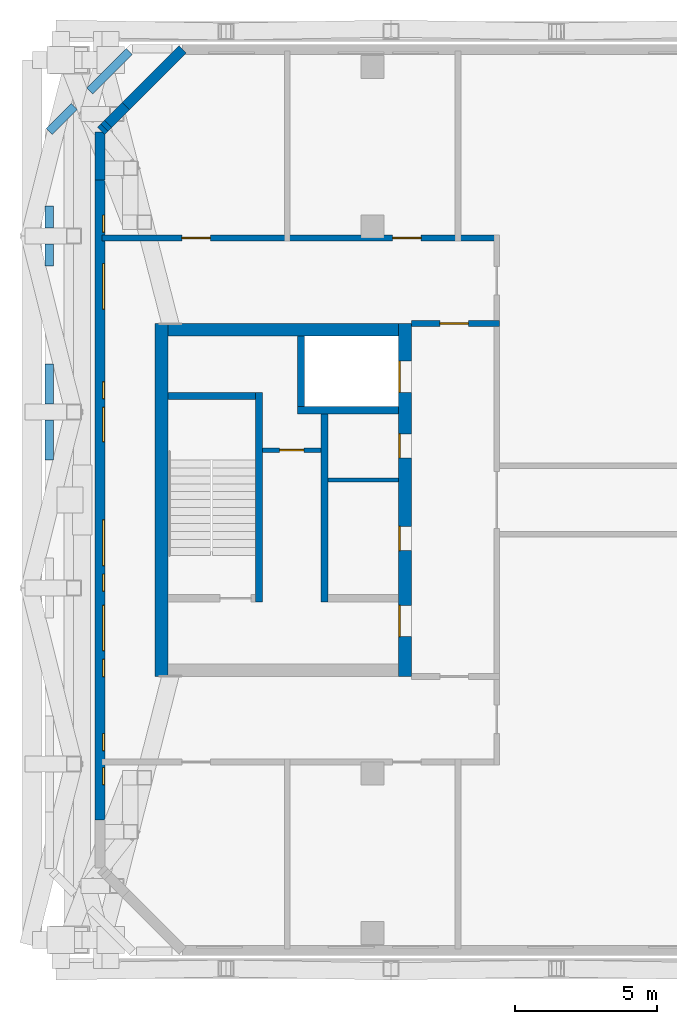
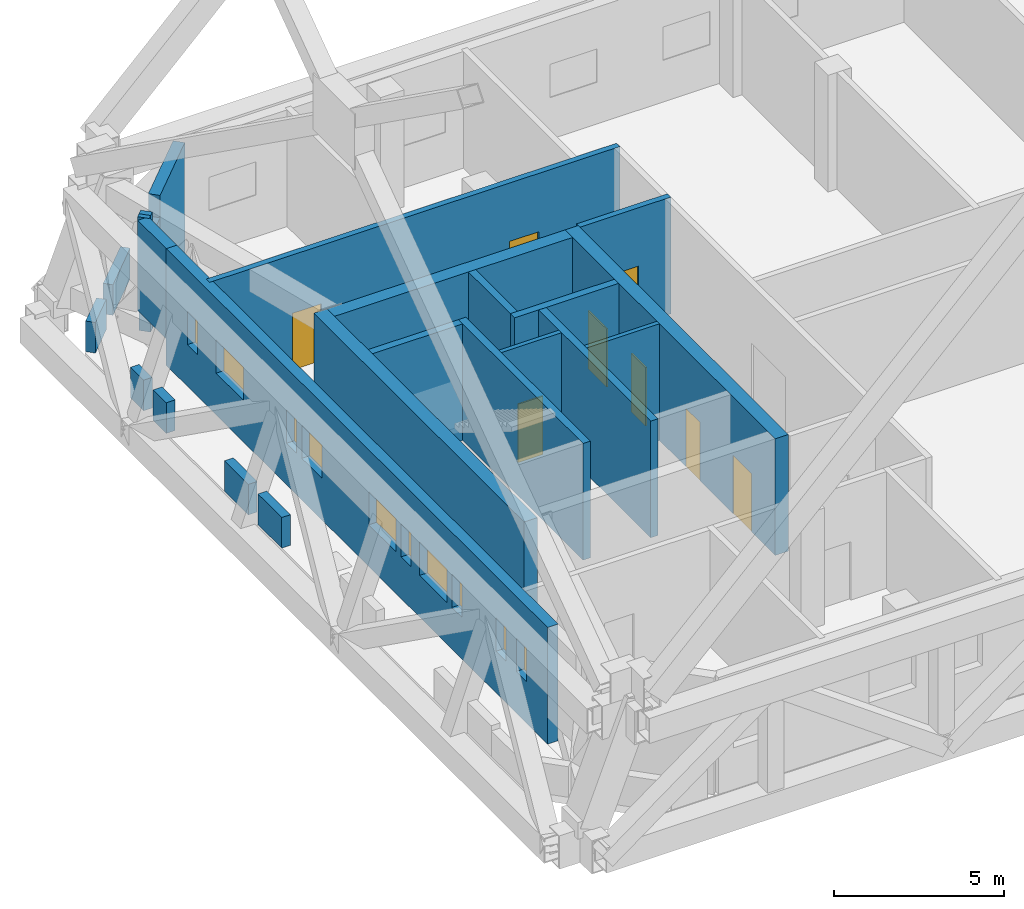
# One storey, part 8 of 20: 24 walls, 10 windows, 8 doors, 18 openings.
"""IFC4 building model written with IfcOpenShell, lengths in metres."""

from ifc_helpers import new_model, si_unit, direction, frame, frame_2d, origin, place, context, subcontext, project, spatial, rectangle, extrude, material, layer, layer_set, type_object, element, fill, save


model = new_model("IFC4")

# Units and contexts
model_context = context("Model", 3, precision=1e-05, world=origin(), true_north=direction((0.0, 1.0)))
body_context = subcontext(model_context, "Body", "Model", "MODEL_VIEW")
ifc_project = project(units=[si_unit("LENGTHUNIT", "METRE"), si_unit("AREAUNIT", "SQUARE_METRE"), si_unit("VOLUMEUNIT", "CUBIC_METRE"), si_unit("PLANEANGLEUNIT", "RADIAN"), si_unit("MASSUNIT", "GRAM", prefix="KILO")], contexts=[model_context])

# Site, building, storey
site_placement = place(None, origin())
site = spatial("IfcSite", under=ifc_project, at=site_placement, CompositionType="ELEMENT")
building_placement = place(site_placement, origin())
building = spatial("IfcBuilding", under=site, at=building_placement, Name="Tuart Gate Housing", CompositionType="ELEMENT")
storey_placement = place(building_placement, frame((0.0, 0.0, 167.10009765625)))
storey = spatial("IfcBuildingStorey", under=building, at=storey_placement, Name="L47", CompositionType="ELEMENT", Elevation=167.10009765625)

# Walls
ifc_material_1 = material(Name="Brick", Category="masonry")
ifc_layer_1 = layer(ifc_material_1, 0.300048828125)
ifc_layer_set_1 = layer_set([ifc_layer_1], Name="Brick parapet wall 300")
wall_type_1 = type_object("IfcWallType", Name="Brick parapet wall 300", PredefinedType="PARAPET", material=ifc_layer_set_1)
wall_1_placement = place(storey_placement, frame((31.45458984375, 85.742431640625, 0.0), z_axis=(0.0, 0.0, 1.0), x_axis=(-0.707169018284, -0.707044538611, 0.0)))
element("IfcWall", 1, at=wall_1_placement, inside=storey, type_object=wall_type_1, Name="Roof parapet A 2", PredefinedType="PARAPET", context=body_context, shape_type="SweptSolid", body=[
    extrude(rectangle(XDim=1.961181640625, YDim=0.300048828125, at=frame_2d((0.98046875, 0.0))), origin(), (0.0, 0.0, 1.0), 1.099853515625),
])
wall_2_placement = place(storey_placement, frame((29.5234375, 83.811279296875, 0.0), z_axis=(0.0, 0.0, 1.0), x_axis=(-0.707205601223, -0.707007947338, 0.0)))
element("IfcWall", 2, at=wall_2_placement, inside=storey, type_object=wall_type_1, Name="Roof parapet A 2", PredefinedType="PARAPET", context=body_context, shape_type="SweptSolid", body=[
    extrude(rectangle(XDim=1.235107421875, YDim=0.300048828125, at=frame_2d((0.61767578125, 0.0))), origin(), (0.0, 0.0, 1.0), 1.099853515625),
])
for number, where, z_axis, x_axis, name in (
    (3, (28.64990234375, 80.328369140625, 0.0), (0.0, 0.0, 1.0), (0.0, -1.0, 0.0), "Roof parapet A 3"),
    (4, (28.64990234375, 78.987060546875, 0.0), (0.0, 0.0, 1.0), (0.0, -1.0, 0.0), "Roof parapet A 3"),
):
    element("IfcWall", number, at=place(storey_placement, frame(where, z_axis=z_axis, x_axis=x_axis)), inside=storey, type_object=wall_type_1, Name=name, PredefinedType="PARAPET", context=body_context, shape_type="SweptSolid", body=[
        extrude(rectangle(XDim=0.775390625, YDim=0.300048828125, at=frame_2d((0.3876953125, 0.0))), origin(), (0.0, 0.0, 1.0), 1.099853515625),
    ])
for number, where, z_axis, x_axis, name in (
    (5, (28.64990234375, 74.776123046875, 0.0), (0.0, 0.0, 1.0), (0.0, -1.0, 0.0), "Roof parapet A 3"),
    (6, (28.64990234375, 72.806884765625, 0.0), (0.0, 0.0, 1.0), (0.0, -1.0, 0.0), "Roof parapet A 3"),
):
    element("IfcWall", number, at=place(storey_placement, frame(where, z_axis=z_axis, x_axis=x_axis)), inside=storey, type_object=wall_type_1, Name=name, PredefinedType="PARAPET", context=body_context, shape_type="SweptSolid", body=[
        extrude(rectangle(XDim=1.403076171875, YDim=0.300048828125, at=frame_2d((0.70166015625, 0.0))), origin(), (0.0, 0.0, 1.0), 1.099853515625),
    ])
ifc_material_2 = material(Name="Brick", Category="masonry")
ifc_layer_2 = layer(ifc_material_2, 0.360107421875)
ifc_layer_set_2 = layer_set([ifc_layer_2], Name="Brick pier and spandrel wall 360")
wall_type_2 = type_object("IfcWallType", Name="Brick pier and spandrel wall 360", PredefinedType="STANDARD", material=ifc_layer_set_2)
wall_3_placement = place(storey_placement, frame((33.32470703125, 85.820068359375, 0.0), z_axis=(0.0, 0.0, 1.0), x_axis=(-0.707106781187, -0.707106781187, 0.0)))
element("IfcWall", 7, at=wall_3_placement, inside=storey, type_object=wall_type_2, Name="External wall A-NW L47", PredefinedType="STANDARD", context=body_context, shape_type="SweptSolid", body=[
    extrude(rectangle(XDim=2.817138671875, YDim=0.360107421875, at=frame_2d((1.40869140625, 0.0))), origin(), (0.0, 0.0, 1.0), 4.199951171875),
])
wall_4_placement = place(storey_placement, frame((31.332763671875, 83.828125, 0.0), z_axis=(0.0, 0.0, 1.0), x_axis=(-0.707106781187, -0.707106781187, 0.0)))
element("IfcWall", 8, at=wall_4_placement, inside=storey, type_object=wall_type_2, Name="External wall A-NW L47", PredefinedType="STANDARD", context=body_context, shape_type="SweptSolid", body=[
    extrude(rectangle(XDim=0.877685546875, YDim=0.360107421875, at=frame_2d((0.43896484375, 0.0))), origin(), (0.0, 0.0, 1.0), 3.39697265625),
])
wall_5_placement = place(storey_placement, frame((30.712158203125, 83.20751953125, 0.0), z_axis=(0.0, 0.0, 1.0), x_axis=(-0.707106781187, -0.707106781187, 0.0)))
element("IfcWall", 9, at=wall_5_placement, inside=storey, type_object=wall_type_2, Name="External wall A-NW L47", PredefinedType="STANDARD", context=body_context, shape_type="SweptSolid", body=[
    extrude(rectangle(XDim=0.19091796875, YDim=0.360107421875, at=frame_2d((0.095458984375, 0.0))), origin(), (0.0, 0.0, 1.0), 4.199951171875),
])
wall_6_placement = place(storey_placement, frame((30.5771484375, 83.072509765625, 0.952880859375), z_axis=(0.0, 0.0, 1.0), x_axis=(-0.707106781187, -0.707106781187, 0.0)))
element("IfcWall", 10, at=wall_6_placement, inside=storey, type_object=wall_type_2, Name="External wall A-NW L47", PredefinedType="STANDARD", context=body_context, shape_type="SweptSolid", body=[
    extrude(rectangle(XDim=0.158203125, YDim=0.360107421875, at=frame_2d((0.0791015625, 0.0))), origin(), (0.0, 0.0, 1.0), 3.2470703125),
])
wall_7_placement = place(storey_placement, frame((30.429931640625, 82.92529296875, 0.952880859375), z_axis=(0.0, 0.0, 1.0), x_axis=(0.0, -1.0, 0.0)))
element("IfcWall", 11, at=wall_7_placement, inside=storey, type_object=wall_type_2, Name="External wall A-W L47", PredefinedType="STANDARD", context=body_context, shape_type="SweptSolid", body=[
    extrude(rectangle(XDim=1.6806640625, YDim=0.360107421875, at=frame_2d((0.84033203125, 0.0))), origin(), (0.0, 0.0, 1.0), 3.2470703125),
])

# Wall, openings, windows
wall_8_placement = place(storey_placement, frame((30.429931640625, 81.24462890625, 0.0), z_axis=(0.0, 0.0, 1.0), x_axis=(0.0, -1.0, 0.0)))
wall_8 = element("IfcWall", 12, at=wall_8_placement, inside=storey, type_object=wall_type_2, Name="External wall A-W L47", PredefinedType="STANDARD", context=body_context, shape_type="SweptSolid", body=[
    extrude(rectangle(XDim=22.4892578125, YDim=0.360107421875, at=frame_2d((11.24462890625, 0.0))), origin(), (0.0, 0.0, 1.0), 4.199951171875),
])
opening_1_placement = place(wall_8_placement, frame((1.24462890625, 0.0, 1.5)))
opening_1 = element("IfcOpeningElement", 13, at=opening_1_placement, cuts=wall_8, Name="Opening W3C", PredefinedType="OPENING", context=body_context, shape_type="SweptSolid", body=[
    extrude(rectangle(XDim=0.60009765625, YDim=1.199951171875, at=frame_2d((0.300048828125, 0.60009765625))), frame((0.0, 0.18994140625, 0.0), z_axis=(0.0, -1.0, 0.0), x_axis=(1.0, 0.0, 0.0)), (0.0, 0.0, 1.0), 0.380126953125),
])
opening_2_placement = place(wall_8_placement, frame((2.944580078125, 0.0, 1.5)))
opening_2 = element("IfcOpeningElement", 14, at=opening_2_placement, cuts=wall_8, Name="Opening W3", PredefinedType="OPENING", context=body_context, shape_type="SweptSolid", body=[
    extrude(rectangle(XDim=1.60009765625, YDim=1.199951171875, at=frame_2d((0.800048828125, 0.60009765625))), frame((0.0, 0.18994140625, 0.0), z_axis=(0.0, -1.0, 0.0), x_axis=(1.0, 0.0, 0.0)), (0.0, 0.0, 1.0), 0.380126953125),
])
opening_3_placement = place(wall_8_placement, frame((7.0947265625, 0.0, 1.5)))
opening_3 = element("IfcOpeningElement", 15, at=opening_3_placement, cuts=wall_8, Name="Opening W3C", PredefinedType="OPENING", context=body_context, shape_type="SweptSolid", body=[
    extrude(rectangle(XDim=0.60009765625, YDim=1.199951171875, at=frame_2d((0.300048828125, 0.60009765625))), frame((0.0, 0.18994140625, 0.0), z_axis=(0.0, -1.0, 0.0), x_axis=(1.0, 0.0, 0.0)), (0.0, 0.0, 1.0), 0.380126953125),
])
opening_4_placement = place(wall_8_placement, frame((7.99462890625, 0.0, 1.5)))
opening_4 = element("IfcOpeningElement", 16, at=opening_4_placement, cuts=wall_8, Name="Opening W3A", PredefinedType="OPENING", context=body_context, shape_type="SweptSolid", body=[
    extrude(rectangle(XDim=1.199951171875, YDim=1.199951171875, at=frame_2d((0.60009765625, 0.60009765625))), frame((0.0, 0.18994140625, 0.0), z_axis=(0.0, -1.0, 0.0), x_axis=(1.0, 0.0, 0.0)), (0.0, 0.0, 1.0), 0.380126953125),
])
opening_5_placement = place(wall_8_placement, frame((11.944580078125, 0.0, 1.5)))
opening_5 = element("IfcOpeningElement", 17, at=opening_5_placement, cuts=wall_8, Name="Opening W3", PredefinedType="OPENING", context=body_context, shape_type="SweptSolid", body=[
    extrude(rectangle(XDim=1.60009765625, YDim=1.199951171875, at=frame_2d((0.800048828125, 0.60009765625))), frame((0.0, 0.18994140625, 0.0), z_axis=(0.0, -1.0, 0.0), x_axis=(1.0, 0.0, 0.0)), (0.0, 0.0, 1.0), 0.380126953125),
])
opening_6_placement = place(wall_8_placement, frame((14.944580078125, 0.0, 1.5)))
opening_6 = element("IfcOpeningElement", 18, at=opening_6_placement, cuts=wall_8, Name="Opening W3", PredefinedType="OPENING", context=body_context, shape_type="SweptSolid", body=[
    extrude(rectangle(XDim=1.60009765625, YDim=1.199951171875, at=frame_2d((0.800048828125, 0.60009765625))), frame((0.0, 0.18994140625, 0.0), z_axis=(0.0, -1.0, 0.0), x_axis=(1.0, 0.0, 0.0)), (0.0, 0.0, 1.0), 0.380126953125),
])
opening_7_placement = place(wall_8_placement, frame((13.8447265625, 0.0, 1.5)))
opening_7 = element("IfcOpeningElement", 19, at=opening_7_placement, cuts=wall_8, Name="Opening W3C", PredefinedType="OPENING", context=body_context, shape_type="SweptSolid", body=[
    extrude(rectangle(XDim=0.60009765625, YDim=1.199951171875, at=frame_2d((0.300048828125, 0.60009765625))), frame((0.0, 0.18994140625, 0.0), z_axis=(0.0, -1.0, 0.0), x_axis=(1.0, 0.0, 0.0)), (0.0, 0.0, 1.0), 0.380126953125),
])
opening_8_placement = place(wall_8_placement, frame((20.644775390625, 0.0, 1.5)))
opening_8 = element("IfcOpeningElement", 20, at=opening_8_placement, cuts=wall_8, Name="Opening W3C", PredefinedType="OPENING", context=body_context, shape_type="SweptSolid", body=[
    extrude(rectangle(XDim=0.60009765625, YDim=1.199951171875, at=frame_2d((0.300048828125, 0.60009765625))), frame((0.0, 0.18994140625, 0.0), z_axis=(0.0, -1.0, 0.0), x_axis=(1.0, 0.0, 0.0)), (0.0, 0.0, 1.0), 0.380126953125),
])
opening_9_placement = place(wall_8_placement, frame((16.8447265625, 0.0, 1.5)))
opening_9 = element("IfcOpeningElement", 21, at=opening_9_placement, cuts=wall_8, Name="Opening W3C", PredefinedType="OPENING", context=body_context, shape_type="SweptSolid", body=[
    extrude(rectangle(XDim=0.60009765625, YDim=1.199951171875, at=frame_2d((0.300048828125, 0.60009765625))), frame((0.0, 0.18994140625, 0.0), z_axis=(0.0, -1.0, 0.0), x_axis=(1.0, 0.0, 0.0)), (0.0, 0.0, 1.0), 0.380126953125),
])
opening_10_placement = place(wall_8_placement, frame((19.444580078125, 0.0, 1.5)))
opening_10 = element("IfcOpeningElement", 22, at=opening_10_placement, cuts=wall_8, Name="Opening W3C", PredefinedType="OPENING", context=body_context, shape_type="SweptSolid", body=[
    extrude(rectangle(XDim=0.60009765625, YDim=1.199951171875, at=frame_2d((0.300048828125, 0.60009765625))), frame((0.0, 0.18994140625, 0.0), z_axis=(0.0, -1.0, 0.0), x_axis=(1.0, 0.0, 0.0)), (0.0, 0.0, 1.0), 0.380126953125),
])
ifc_material_3 = material(Name="Aluminium louvre blades", Category="aluminium")
window_type_1 = type_object("IfcWindowType", Name="Louvre window 1200 x 1200", PartitioningType="DOUBLE_PANEL_HORIZONTAL", PredefinedType="WINDOW", material=ifc_material_3)
window_1_placement = place(opening_4_placement, origin())
window_1 = element("IfcWindow", 23, at=window_1_placement, inside=storey, type_object=window_type_1, Name="Louvre W3A", OverallHeight=1.199951171875, OverallWidth=1.199951171875, PartitioningType="DOUBLE_PANEL_HORIZONTAL", PredefinedType="WINDOW", context=body_context, shape_type="SweptSolid", body=[
    extrude(rectangle(XDim=1.199951171875, YDim=1.199951171875, at=frame_2d((0.60009765625, 0.60009765625))), frame((0.0, 0.150146484375, 0.0), z_axis=(0.0, -1.0, 0.0), x_axis=(1.0, 0.0, 0.0)), (0.0, 0.0, 1.0), 0.06005859375),
])
fill(opening_4, window_1)
ifc_material_4 = material(Name="Aluminium louvre blades", Category="aluminium")
window_type_2 = type_object("IfcWindowType", Name="Louvre window 1600 x 1200", PartitioningType="DOUBLE_PANEL_HORIZONTAL", PredefinedType="WINDOW", material=ifc_material_4)
window_2_placement = place(opening_2_placement, origin())
window_2 = element("IfcWindow", 24, at=window_2_placement, inside=storey, type_object=window_type_2, Name="Louvre W3", OverallHeight=1.199951171875, OverallWidth=1.60009765625, PartitioningType="DOUBLE_PANEL_HORIZONTAL", PredefinedType="WINDOW", context=body_context, shape_type="SweptSolid", body=[
    extrude(rectangle(XDim=1.60009765625, YDim=1.199951171875, at=frame_2d((0.800048828125, 0.60009765625))), frame((0.0, 0.150146484375, 0.0), z_axis=(0.0, -1.0, 0.0), x_axis=(1.0, 0.0, 0.0)), (0.0, 0.0, 1.0), 0.06005859375),
])
fill(opening_2, window_2)
window_3_placement = place(opening_5_placement, origin())
window_3 = element("IfcWindow", 25, at=window_3_placement, inside=storey, type_object=window_type_2, Name="Louvre W3", OverallHeight=1.199951171875, OverallWidth=1.60009765625, PartitioningType="DOUBLE_PANEL_HORIZONTAL", PredefinedType="WINDOW", context=body_context, shape_type="SweptSolid", body=[
    extrude(rectangle(XDim=1.60009765625, YDim=1.199951171875, at=frame_2d((0.800048828125, 0.60009765625))), frame((0.0, 0.150146484375, 0.0), z_axis=(0.0, -1.0, 0.0), x_axis=(1.0, 0.0, 0.0)), (0.0, 0.0, 1.0), 0.06005859375),
])
fill(opening_5, window_3)
window_4_placement = place(opening_6_placement, origin())
window_4 = element("IfcWindow", 26, at=window_4_placement, inside=storey, type_object=window_type_2, Name="Louvre W3", OverallHeight=1.199951171875, OverallWidth=1.60009765625, PartitioningType="DOUBLE_PANEL_HORIZONTAL", PredefinedType="WINDOW", context=body_context, shape_type="SweptSolid", body=[
    extrude(rectangle(XDim=1.60009765625, YDim=1.199951171875, at=frame_2d((0.800048828125, 0.60009765625))), frame((0.0, 0.150146484375, 0.0), z_axis=(0.0, -1.0, 0.0), x_axis=(1.0, 0.0, 0.0)), (0.0, 0.0, 1.0), 0.06005859375),
])
fill(opening_6, window_4)
ifc_material_5 = material(Name="Aluminium louvre blades", Category="aluminium")
window_type_3 = type_object("IfcWindowType", Name="Louvre window 600 x 1200", PartitioningType="DOUBLE_PANEL_HORIZONTAL", PredefinedType="WINDOW", material=ifc_material_5)
window_5_placement = place(opening_1_placement, origin())
window_5 = element("IfcWindow", 27, at=window_5_placement, inside=storey, type_object=window_type_3, Name="Louvre W3C", OverallHeight=1.199951171875, OverallWidth=0.60009765625, PartitioningType="DOUBLE_PANEL_HORIZONTAL", PredefinedType="WINDOW", context=body_context, shape_type="SweptSolid", body=[
    extrude(rectangle(XDim=0.60009765625, YDim=1.199951171875, at=frame_2d((0.300048828125, 0.60009765625))), frame((0.0, 0.150146484375, 0.0), z_axis=(0.0, -1.0, 0.0), x_axis=(1.0, 0.0, 0.0)), (0.0, 0.0, 1.0), 0.06005859375),
])
fill(opening_1, window_5)
window_6_placement = place(opening_3_placement, origin())
window_6 = element("IfcWindow", 28, at=window_6_placement, inside=storey, type_object=window_type_3, Name="Louvre W3C", OverallHeight=1.199951171875, OverallWidth=0.60009765625, PartitioningType="DOUBLE_PANEL_HORIZONTAL", PredefinedType="WINDOW", context=body_context, shape_type="SweptSolid", body=[
    extrude(rectangle(XDim=0.60009765625, YDim=1.199951171875, at=frame_2d((0.300048828125, 0.60009765625))), frame((0.0, 0.150146484375, 0.0), z_axis=(0.0, -1.0, 0.0), x_axis=(1.0, 0.0, 0.0)), (0.0, 0.0, 1.0), 0.06005859375),
])
fill(opening_3, window_6)
window_7_placement = place(opening_7_placement, origin())
window_7 = element("IfcWindow", 29, at=window_7_placement, inside=storey, type_object=window_type_3, Name="Louvre W3C", OverallHeight=1.199951171875, OverallWidth=0.60009765625, PartitioningType="DOUBLE_PANEL_HORIZONTAL", PredefinedType="WINDOW", context=body_context, shape_type="SweptSolid", body=[
    extrude(rectangle(XDim=0.60009765625, YDim=1.199951171875, at=frame_2d((0.300048828125, 0.60009765625))), frame((0.0, 0.150146484375, 0.0), z_axis=(0.0, -1.0, 0.0), x_axis=(1.0, 0.0, 0.0)), (0.0, 0.0, 1.0), 0.06005859375),
])
fill(opening_7, window_7)
window_8_placement = place(opening_8_placement, origin())
window_8 = element("IfcWindow", 30, at=window_8_placement, inside=storey, type_object=window_type_3, Name="Louvre W3C", OverallHeight=1.199951171875, OverallWidth=0.60009765625, PartitioningType="DOUBLE_PANEL_HORIZONTAL", PredefinedType="WINDOW", context=body_context, shape_type="SweptSolid", body=[
    extrude(rectangle(XDim=0.60009765625, YDim=1.199951171875, at=frame_2d((0.300048828125, 0.60009765625))), frame((0.0, 0.150146484375, 0.0), z_axis=(0.0, -1.0, 0.0), x_axis=(1.0, 0.0, 0.0)), (0.0, 0.0, 1.0), 0.06005859375),
])
fill(opening_8, window_8)
window_9_placement = place(opening_9_placement, origin())
window_9 = element("IfcWindow", 31, at=window_9_placement, inside=storey, type_object=window_type_3, Name="Louvre W3C", OverallHeight=1.199951171875, OverallWidth=0.60009765625, PartitioningType="DOUBLE_PANEL_HORIZONTAL", PredefinedType="WINDOW", context=body_context, shape_type="SweptSolid", body=[
    extrude(rectangle(XDim=0.60009765625, YDim=1.199951171875, at=frame_2d((0.300048828125, 0.60009765625))), frame((0.0, 0.150146484375, 0.0), z_axis=(0.0, -1.0, 0.0), x_axis=(1.0, 0.0, 0.0)), (0.0, 0.0, 1.0), 0.06005859375),
])
fill(opening_9, window_9)
window_10_placement = place(opening_10_placement, origin())
window_10 = element("IfcWindow", 32, at=window_10_placement, inside=storey, type_object=window_type_3, Name="Louvre W3C", OverallHeight=1.199951171875, OverallWidth=0.60009765625, PartitioningType="DOUBLE_PANEL_HORIZONTAL", PredefinedType="WINDOW", context=body_context, shape_type="SweptSolid", body=[
    extrude(rectangle(XDim=0.60009765625, YDim=1.199951171875, at=frame_2d((0.300048828125, 0.60009765625))), frame((0.0, 0.150146484375, 0.0), z_axis=(0.0, -1.0, 0.0), x_axis=(1.0, 0.0, 0.0)), (0.0, 0.0, 1.0), 0.06005859375),
])
fill(opening_10, window_10)

# Wall, opening, door
ifc_material_6 = material(Name="Plasterboard partition")
ifc_layer_3 = layer(ifc_material_6, 0.14990234375)
ifc_layer_set_3 = layer_set([ifc_layer_3], Name="Core partition 150")
wall_type_3 = type_object("IfcWallType", Name="Core partition 150", PredefinedType="PARTITIONING", material=ifc_layer_set_3)
wall_9_placement = place(storey_placement, frame((38.18505859375, 71.75, 0.0), z_axis=(0.0, 0.0, 1.0), x_axis=(-1.0, 0.0, 0.0)))
wall_9 = element("IfcWall", 33, at=wall_9_placement, inside=storey, type_object=wall_type_3, Name="Core partition AK.3", PredefinedType="PARTITIONING", context=body_context, shape_type="SweptSolid", body=[
    extrude(rectangle(XDim=2.050048828125, YDim=0.14990234375, at=frame_2d((1.02490234375, 0.0))), origin(), (0.0, 0.0, 1.0), 4.199951171875),
])
opening_11_placement = place(wall_9_placement, frame((0.60009765625, 0.0, 0.0)))
opening_11 = element("IfcOpeningElement", 34, at=opening_11_placement, cuts=wall_9, Name="Opening D3447", PredefinedType="OPENING", context=body_context, shape_type="SweptSolid", body=[
    extrude(rectangle(XDim=0.85009765625, YDim=2.10009765625, at=frame_2d((0.425048828125, 1.050048828125))), frame((0.0, 0.0849609375, 0.0), z_axis=(0.0, -1.0, 0.0), x_axis=(1.0, 0.0, 0.0)), (0.0, 0.0, 1.0), 0.169921875),
])
ifc_material_7 = material(Name="Steel fire door", Category="steel")
door_type_1 = type_object("IfcDoorType", Name="Riser door 850 x 2100 RH", OperationType="SINGLE_SWING_RIGHT", PredefinedType="DOOR", material=ifc_material_7)
door_1_placement = place(opening_11_placement, frame((0.85009765625, 0.0, 0.0), z_axis=(0.0, 0.0, 1.0), x_axis=(-1.0, 0.0, 0.0)))
door_1 = element("IfcDoor", 35, at=door_1_placement, inside=storey, type_object=door_type_1, Name="Service room door AK.E1", OperationType="SINGLE_SWING_RIGHT", OverallHeight=2.10009765625, OverallWidth=0.85009765625, PredefinedType="DOOR", context=body_context, shape_type="SweptSolid", body=[
    extrude(rectangle(XDim=0.85009765625, YDim=2.10009765625, at=frame_2d((0.425048828125, 1.050048828125))), frame((0.0, 0.025146484375, 0.0), z_axis=(0.0, -1.0, 0.0), x_axis=(1.0, 0.0, 0.0)), (0.0, 0.0, 1.0), 0.050048828125),
])
fill(opening_11, door_1)

# Walls
wall_10_placement = place(storey_placement, frame((40.909912109375, 70.699951171875, 0.0), z_axis=(0.0, 0.0, 1.0), x_axis=(-1.0, 0.0, 0.0)))
element("IfcWall", 36, at=wall_10_placement, inside=storey, type_object=wall_type_3, Name="Core partition AK.4", PredefinedType="PARTITIONING", context=body_context, shape_type="SweptSolid", body=[
    extrude(rectangle(XDim=2.474853515625, YDim=0.14990234375, at=frame_2d((1.2373046875, 0.0))), origin(), (0.0, 0.0, 1.0), 4.199951171875),
])
ifc_material_8 = material(Name="Concrete C40", Category="concrete")
ifc_layer_4 = layer(ifc_material_8, 0.25)
ifc_layer_set_4 = layer_set([ifc_layer_4], Name="Core wall 250 C40")
wall_type_4 = type_object("IfcWallType", Name="Core wall 250 C40", PredefinedType="SHEAR", material=ifc_layer_set_4)
wall_11_placement = place(storey_placement, frame((35.885009765625, 73.64990234375, 0.0), z_axis=(0.0, 0.0, 1.0), x_axis=(-1.0, 0.0, 0.0)))
element("IfcWall", 37, at=wall_11_placement, inside=storey, type_object=wall_type_4, Name="Core wall AK.1", PredefinedType="SHEAR", context=body_context, shape_type="SweptSolid", body=[
    extrude(rectangle(XDim=3.074951171875, YDim=0.25, at=frame_2d((1.53759765625, 0.0))), origin(), (0.0, 0.0, 1.0), 4.199951171875),
])
wall_12_placement = place(storey_placement, frame((40.909912109375, 73.14990234375, 0.0), z_axis=(0.0, 0.0, 1.0), x_axis=(-1.0, 0.0, 0.0)))
element("IfcWall", 38, at=wall_12_placement, inside=storey, type_object=wall_type_4, Name="Core wall AK.2", PredefinedType="SHEAR", context=body_context, shape_type="SweptSolid", body=[
    extrude(rectangle(XDim=3.544921875, YDim=0.25, at=frame_2d((1.7724609375, 0.0))), origin(), (0.0, 0.0, 1.0), 4.199951171875),
])
wall_13_placement = place(storey_placement, frame((38.31005859375, 73.02490234375, 0.0), z_axis=(0.0, 0.0, 1.0), x_axis=(0.0, -1.0, 0.0)))
element("IfcWall", 39, at=wall_13_placement, inside=storey, type_object=wall_type_4, Name="Core wall AK.7", PredefinedType="SHEAR", context=body_context, shape_type="SweptSolid", body=[
    extrude(rectangle(XDim=6.599853515625, YDim=0.25, at=frame_2d((3.2998046875, 0.0))), origin(), (0.0, 0.0, 1.0), 4.199951171875),
])
wall_14_placement = place(storey_placement, frame((37.489990234375, 75.75, 0.0), z_axis=(0.0, 0.0, 1.0), x_axis=(0.0, -1.0, 0.0)))
element("IfcWall", 40, at=wall_14_placement, inside=storey, type_object=wall_type_4, Name="Core wall AK.8", PredefinedType="SHEAR", context=body_context, shape_type="SweptSolid", body=[
    extrude(rectangle(XDim=2.47509765625, YDim=0.25, at=frame_2d((1.237548828125, 0.0))), origin(), (0.0, 0.0, 1.0), 4.199951171875),
])
wall_15_placement = place(storey_placement, frame((36.010009765625, 73.77490234375, 0.0), z_axis=(0.0, 0.0, 1.0), x_axis=(0.0, -1.0, 0.0)))
element("IfcWall", 41, at=wall_15_placement, inside=storey, type_object=wall_type_4, Name="Core wall AK.9", PredefinedType="SHEAR", context=body_context, shape_type="SweptSolid", body=[
    extrude(rectangle(XDim=7.349853515625, YDim=0.25, at=frame_2d((3.6748046875, 0.0))), origin(), (0.0, 0.0, 1.0), 4.199951171875),
])

# Wall, openings, doors
ifc_material_9 = material(Name="Concrete C40", Category="concrete")
ifc_layer_5 = layer(ifc_material_9, 0.449951171875)
ifc_layer_set_5 = layer_set([ifc_layer_5], Name="Core wall 450 C40")
wall_type_5 = type_object("IfcWallType", Name="Core wall 450 C40", PredefinedType="SHEAR", material=ifc_layer_set_5)
wall_16_placement = place(storey_placement, frame((41.135009765625, 76.199951171875, 0.0), z_axis=(0.0, 0.0, 1.0), x_axis=(0.0, -1.0, 0.0)))
wall_16 = element("IfcWall", 42, at=wall_16_placement, inside=storey, type_object=wall_type_5, Name="Core wall AK front", PredefinedType="SHEAR", context=body_context, shape_type="SweptSolid", body=[
    extrude(rectangle(XDim=12.39990234375, YDim=0.449951171875, at=frame_2d((6.199951171875, 0.0))), origin(), (0.0, 0.0, 1.0), 4.199951171875),
])
opening_12_placement = place(wall_16_placement, frame((1.324951171875, 0.0, 0.0)))
opening_12 = element("IfcOpeningElement", 43, at=opening_12_placement, cuts=wall_16, Name="Opening LD-FA2", PredefinedType="OPENING", context=body_context, shape_type="SweptSolid", body=[
    extrude(rectangle(XDim=1.10009765625, YDim=2.10009765625, at=frame_2d((0.550048828125, 1.050048828125))), frame((0.0, 0.23486328125, 0.0), z_axis=(0.0, -1.0, 0.0), x_axis=(1.0, 0.0, 0.0)), (0.0, 0.0, 1.0), 0.469970703125),
])
opening_13_placement = place(wall_16_placement, frame((3.875, 0.0, 0.0)))
opening_13 = element("IfcOpeningElement", 44, at=opening_13_placement, cuts=wall_16, Name="Opening D3450", PredefinedType="OPENING", context=body_context, shape_type="SweptSolid", body=[
    extrude(rectangle(XDim=0.85009765625, YDim=2.10009765625, at=frame_2d((0.425048828125, 1.050048828125))), frame((0.0, 0.23486328125, 0.0), z_axis=(0.0, -1.0, 0.0), x_axis=(1.0, 0.0, 0.0)), (0.0, 0.0, 1.0), 0.469970703125),
])
opening_14_placement = place(wall_16_placement, frame((7.125, 0.0, 0.0)))
opening_14 = element("IfcOpeningElement", 45, at=opening_14_placement, cuts=wall_16, Name="Opening D3451", PredefinedType="OPENING", context=body_context, shape_type="SweptSolid", body=[
    extrude(rectangle(XDim=0.85009765625, YDim=2.10009765625, at=frame_2d((0.425048828125, 1.050048828125))), frame((0.0, 0.23486328125, 0.0), z_axis=(0.0, -1.0, 0.0), x_axis=(1.0, 0.0, 0.0)), (0.0, 0.0, 1.0), 0.469970703125),
])
opening_15_placement = place(wall_16_placement, frame((9.89990234375, 0.0, 0.0)))
opening_15 = element("IfcOpeningElement", 46, at=opening_15_placement, cuts=wall_16, Name="Opening D3449", PredefinedType="OPENING", context=body_context, shape_type="SweptSolid", body=[
    extrude(rectangle(XDim=1.10009765625, YDim=2.10009765625, at=frame_2d((0.550048828125, 1.050048828125))), frame((0.0, 0.23486328125, 0.0), z_axis=(0.0, -1.0, 0.0), x_axis=(1.0, 0.0, 0.0)), (0.0, 0.0, 1.0), 0.469970703125),
])
ifc_material_10 = material(Name="Stainless steel", Category="steel")
door_type_2 = type_object("IfcDoorType", Name="Landing door 1100 x 2100", OperationType="DOUBLE_DOOR_SLIDING", PredefinedType="DOOR", material=ifc_material_10)
door_2_placement = place(opening_12_placement, origin())
door_2 = element("IfcDoor", 47, at=door_2_placement, inside=storey, type_object=door_type_2, Name="Lift landing door FA2", OperationType="DOUBLE_DOOR_SLIDING", OverallHeight=2.10009765625, OverallWidth=1.10009765625, PredefinedType="DOOR", context=body_context, shape_type="SweptSolid", body=[
    extrude(rectangle(XDim=1.10009765625, YDim=2.10009765625, at=frame_2d((0.550048828125, 1.050048828125))), frame((0.0, -0.16015625, 0.0), z_axis=(0.0, -1.0, 0.0), x_axis=(1.0, 0.0, 0.0)), (0.0, 0.0, 1.0), 0.050048828125),
])
fill(opening_12, door_2)
ifc_material_11 = material(Name="Steel fire door", Category="steel")
door_type_3 = type_object("IfcDoorType", Name="Lobby door 1100 x 2100 RH", OperationType="SINGLE_SWING_RIGHT", PredefinedType="DOOR", material=ifc_material_11)
door_3_placement = place(opening_15_placement, frame((1.10009765625, 0.0, 0.0), z_axis=(0.0, 0.0, 1.0), x_axis=(-1.0, 0.0, 0.0)))
door_3 = element("IfcDoor", 48, at=door_3_placement, inside=storey, type_object=door_type_3, Name="Lobby entry door AK.EN", OperationType="SINGLE_SWING_RIGHT", OverallHeight=2.10009765625, OverallWidth=1.10009765625, PredefinedType="DOOR", context=body_context, shape_type="SweptSolid", body=[
    extrude(rectangle(XDim=1.10009765625, YDim=2.10009765625, at=frame_2d((0.550048828125, 1.050048828125))), frame((0.0, 0.210205078125, 0.0), z_axis=(0.0, -1.0, 0.0), x_axis=(1.0, 0.0, 0.0)), (0.0, 0.0, 1.0), 0.050048828125),
])
fill(opening_15, door_3)
ifc_material_12 = material(Name="Steel fire door", Category="steel")
door_type_4 = type_object("IfcDoorType", Name="Service door 850 x 2100 RH", OperationType="SINGLE_SWING_RIGHT", PredefinedType="DOOR", material=ifc_material_12)
door_4_placement = place(opening_13_placement, frame((0.85009765625, 0.0, 0.0), z_axis=(0.0, 0.0, 1.0), x_axis=(-1.0, 0.0, 0.0)))
door_4 = element("IfcDoor", 49, at=door_4_placement, inside=storey, type_object=door_type_4, Name="Service room door AK.FR1", OperationType="SINGLE_SWING_RIGHT", OverallHeight=2.10009765625, OverallWidth=0.85009765625, PredefinedType="DOOR", context=body_context, shape_type="SweptSolid", body=[
    extrude(rectangle(XDim=0.85009765625, YDim=2.10009765625, at=frame_2d((0.425048828125, 1.050048828125))), frame((0.0, 0.210205078125, 0.0), z_axis=(0.0, -1.0, 0.0), x_axis=(1.0, 0.0, 0.0)), (0.0, 0.0, 1.0), 0.050048828125),
])
fill(opening_13, door_4)
door_5_placement = place(opening_14_placement, frame((0.85009765625, 0.0, 0.0), z_axis=(0.0, 0.0, 1.0), x_axis=(-1.0, 0.0, 0.0)))
door_5 = element("IfcDoor", 50, at=door_5_placement, inside=storey, type_object=door_type_4, Name="Service room door AK.FR2", OperationType="SINGLE_SWING_RIGHT", OverallHeight=2.10009765625, OverallWidth=0.85009765625, PredefinedType="DOOR", context=body_context, shape_type="SweptSolid", body=[
    extrude(rectangle(XDim=0.85009765625, YDim=2.10009765625, at=frame_2d((0.425048828125, 1.050048828125))), frame((0.0, 0.210205078125, 0.0), z_axis=(0.0, -1.0, 0.0), x_axis=(1.0, 0.0, 0.0)), (0.0, 0.0, 1.0), 0.050048828125),
])
fill(opening_14, door_5)

# Walls
wall_17_placement = place(storey_placement, frame((32.5849609375, 76.199951171875, 0.0), z_axis=(0.0, 0.0, 1.0), x_axis=(0.0, -1.0, 0.0)))
element("IfcWall", 51, at=wall_17_placement, inside=storey, type_object=wall_type_5, Name="Core wall AK back", PredefinedType="SHEAR", context=body_context, shape_type="SweptSolid", body=[
    extrude(rectangle(XDim=12.39990234375, YDim=0.449951171875, at=frame_2d((6.199951171875, 0.0))), origin(), (0.0, 0.0, 1.0), 4.199951171875),
])
wall_18_placement = place(storey_placement, frame((40.909912109375, 75.97509765625, 0.0), z_axis=(0.0, 0.0, 1.0), x_axis=(-1.0, 0.0, 0.0)))
element("IfcWall", 52, at=wall_18_placement, inside=storey, type_object=wall_type_5, Name="Core wall AK south", PredefinedType="SHEAR", context=body_context, shape_type="SweptSolid", body=[
    extrude(rectangle(XDim=8.099853515625, YDim=0.449951171875, at=frame_2d((4.0498046875, 0.0))), origin(), (0.0, 0.0, 1.0), 4.199951171875),
])

# Wall, opening, door
ifc_material_13 = material(Name="Concrete masonry 15 MPa", Category="masonry")
ifc_layer_6 = layer(ifc_material_13, 0.199951171875)
ifc_layer_set_6 = layer_set([ifc_layer_6], Name="Enclosure wall masonry 200")
wall_type_6 = type_object("IfcWallType", Name="Enclosure wall masonry 200", PredefinedType="PARTITIONING", material=ifc_layer_set_6)
wall_19_placement = place(storey_placement, frame((41.360107421875, 76.199951171875, 0.0), z_axis=(0.0, 0.0, 1.0), x_axis=(1.0, 0.0, 0.0)))
wall_19 = element("IfcWall", 53, at=wall_19_placement, inside=storey, type_object=wall_type_6, Name="Enclosure wall masonry 200", PredefinedType="PARTITIONING", context=body_context, shape_type="SweptSolid", body=[
    extrude(rectangle(XDim=3.099853515625, YDim=0.199951171875, at=frame_2d((1.5498046875, 0.0))), origin(), (0.0, 0.0, 1.0), 4.199951171875),
])
opening_16_placement = place(wall_19_placement, frame((1.0, 0.0, 0.0)))
opening_16 = element("IfcOpeningElement", 54, at=opening_16_placement, cuts=wall_19, Name="Opening D3444", PredefinedType="OPENING", context=body_context, shape_type="SweptSolid", body=[
    extrude(rectangle(XDim=1.0, YDim=2.10009765625, at=frame_2d((0.5, 1.050048828125))), frame((0.0, 0.10986328125, 0.0), z_axis=(0.0, -1.0, 0.0), x_axis=(1.0, 0.0, 0.0)), (0.0, 0.0, 1.0), 0.219970703125),
])
ifc_material_14 = material(Name="Timber door leaf in steel frame", Category="steel")
door_type_5 = type_object("IfcDoorType", Name="Lobby door 1000 RH", OperationType="SINGLE_SWING_RIGHT", PredefinedType="DOOR", material=ifc_material_14)
door_6_placement = place(opening_16_placement, origin())
door_6 = element("IfcDoor", 55, at=door_6_placement, inside=storey, type_object=door_type_5, Name="Lobby door 1000", OperationType="SINGLE_SWING_RIGHT", OverallHeight=2.10009765625, OverallWidth=1.0, PredefinedType="DOOR", context=body_context, shape_type="SweptSolid", body=[
    extrude(rectangle(XDim=1.0, YDim=2.10009765625, at=frame_2d((0.5, 1.050048828125))), frame((0.0, 0.02490234375, 0.0), z_axis=(0.0, -1.0, 0.0), x_axis=(1.0, 0.0, 0.0)), (0.0, 0.0, 1.0), 0.050048828125),
])
fill(opening_16, door_6)

# Wall, openings, doors
wall_20_placement = place(storey_placement, frame((30.489990234375, 79.199951171875, 0.0), z_axis=(0.0, 0.0, 1.0), x_axis=(1.0, 0.0, 0.0)))
wall_20 = element("IfcWall", 56, at=wall_20_placement, inside=storey, type_object=wall_type_6, Name="Enclosure wall masonry 200", PredefinedType="PARTITIONING", context=body_context, shape_type="SweptSolid", body=[
    extrude(rectangle(XDim=13.969970703125, YDim=0.199951171875, at=frame_2d((6.98486328125, 0.0))), origin(), (0.0, 0.0, 1.0), 4.199951171875),
])
opening_17_placement = place(wall_20_placement, frame((2.81494140625, 0.0, 0.0)))
opening_17 = element("IfcOpeningElement", 57, at=opening_17_placement, cuts=wall_20, Name="Opening D3438", PredefinedType="OPENING", context=body_context, shape_type="SweptSolid", body=[
    extrude(rectangle(XDim=1.0, YDim=2.10009765625, at=frame_2d((0.5, 1.050048828125))), frame((0.0, 0.10986328125, 0.0), z_axis=(0.0, -1.0, 0.0), x_axis=(1.0, 0.0, 0.0)), (0.0, 0.0, 1.0), 0.219970703125),
])
opening_18_placement = place(wall_20_placement, frame((10.2099609375, 0.0, 0.0)))
opening_18 = element("IfcOpeningElement", 58, at=opening_18_placement, cuts=wall_20, Name="Opening D3439", PredefinedType="OPENING", context=body_context, shape_type="SweptSolid", body=[
    extrude(rectangle(XDim=1.0, YDim=2.10009765625, at=frame_2d((0.5, 1.050048828125))), frame((0.0, 0.10986328125, 0.0), z_axis=(0.0, -1.0, 0.0), x_axis=(1.0, 0.0, 0.0)), (0.0, 0.0, 1.0), 0.219970703125),
])
ifc_material_15 = material(Name="Timber door leaf in steel frame", Category="steel")
door_type_6 = type_object("IfcDoorType", Name="Fire door 1000", OperationType="SINGLE_SWING_LEFT", PredefinedType="DOOR", material=ifc_material_15)
door_7_placement = place(opening_17_placement, origin())
door_7 = element("IfcDoor", 59, at=door_7_placement, inside=storey, type_object=door_type_6, Name="Fire door 1000", OperationType="SINGLE_SWING_LEFT", OverallHeight=2.10009765625, OverallWidth=1.0, PredefinedType="DOOR", context=body_context, shape_type="SweptSolid", body=[
    extrude(rectangle(XDim=1.0, YDim=2.10009765625, at=frame_2d((0.5, 1.050048828125))), frame((0.0, 0.02490234375, 0.0), z_axis=(0.0, -1.0, 0.0), x_axis=(1.0, 0.0, 0.0)), (0.0, 0.0, 1.0), 0.050048828125),
])
fill(opening_17, door_7)
ifc_material_16 = material(Name="Timber door leaf in steel frame", Category="steel")
door_type_7 = type_object("IfcDoorType", Name="Fire door 1000 RH", OperationType="SINGLE_SWING_RIGHT", PredefinedType="DOOR", material=ifc_material_16)
door_8_placement = place(opening_18_placement, origin())
door_8 = element("IfcDoor", 60, at=door_8_placement, inside=storey, type_object=door_type_7, Name="Fire door 1000", OperationType="SINGLE_SWING_RIGHT", OverallHeight=2.10009765625, OverallWidth=1.0, PredefinedType="DOOR", context=body_context, shape_type="SweptSolid", body=[
    extrude(rectangle(XDim=1.0, YDim=2.10009765625, at=frame_2d((0.5, 1.050048828125))), frame((0.0, 0.02490234375, 0.0), z_axis=(0.0, -1.0, 0.0), x_axis=(1.0, 0.0, 0.0)), (0.0, 0.0, 1.0), 0.050048828125),
])
fill(opening_18, door_8)

save(model, "model.ifc")
